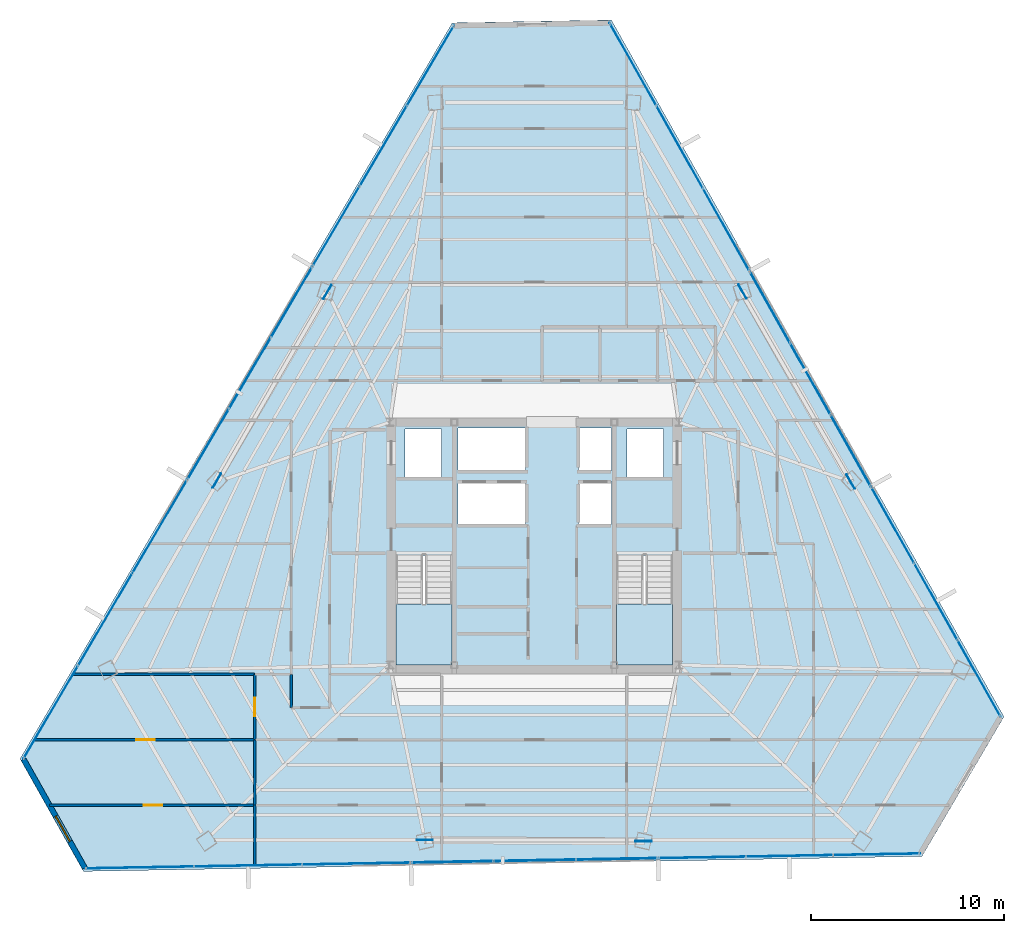
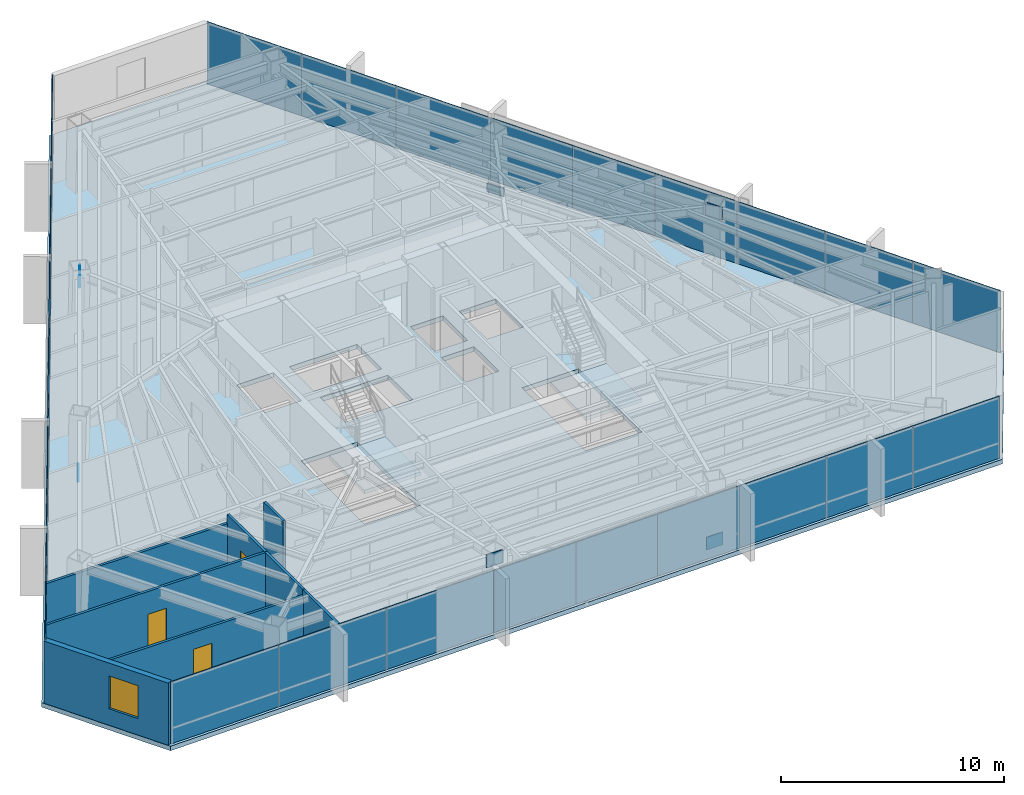
# One storey, part 34 of 42: 33 plates, 8 walls, 3 doors, 3 slabs, 1 window, 4 openings, 11 elements without a shape of their own.
"""IFC4 building model written with IfcOpenShell, lengths in metres."""

import ifcopenshell
import ifcopenshell.guid

model = None  # the IFC model being written
_history = None  # IfcOwnerHistory: only IFC2X3 demands one
_inside = {}  # id of a spatial element -> (the spatial element, [elements in it])
_under = {}  # id of a project, library or spatial element -> (it, [spatial elements below it])
_declared = {}  # id of a project -> (the project, [libraries it declares])
_typed = {}  # id of a type object -> (the type object, [elements of that type])
_made_of = {}  # id of a material, layer set ... -> (it, [elements and type objects made of it])


def new_model(schema):
    """Start an empty IFC model of exactly this schema.

    Asked for "IFC4X3", IfcOpenShell would pick the latest addendum, in which some entities
    have other attributes; the version numbers below select the first issue.
    IFC2X3 requires an IfcOwnerHistory on every rooted entity: one is made here for all.
    """
    global model, _history
    if schema == "IFC4X3":
        model = ifcopenshell.file(schema_version=(4, 3, 0, 0))
    else:
        model = ifcopenshell.file(schema=schema)
    _inside.clear()
    _under.clear()
    _declared.clear()
    _typed.clear()
    _made_of.clear()
    _history = None
    if model.schema == "IFC2X3":
        org = make("IfcOrganization", Name="unknown")
        user = make(
            "IfcPersonAndOrganization",
            ThePerson=make("IfcPerson", FamilyName="unknown"),
            TheOrganization=org,
        )
        app = make(
            "IfcApplication",
            ApplicationDeveloper=org,
            Version="unknown",
            ApplicationFullName="unknown",
            ApplicationIdentifier="unknown",
        )
        _history = make(
            "IfcOwnerHistory",
            OwningUser=user,
            OwningApplication=app,
            ChangeAction="ADDED",
            CreationDate=0,
        )
    return model


def make(cls, **values):
    """One entity of the class cls with the attributes given. An attribute that is None is left unset."""
    return model.create_entity(
        cls, **{name: value for name, value in values.items() if value is not None}
    )


def rooted(cls, **values):
    """An entity with a GlobalId (a new one), such as an element, a storey or a relation."""
    return make(cls, GlobalId=ifcopenshell.guid.new(), OwnerHistory=_history, **values)


def si_unit(unit_type, name, prefix=None):
    """IfcSIUnit, for example si_unit("LENGTHUNIT", "METRE", prefix="MILLI")."""
    return make("IfcSIUnit", UnitType=unit_type, Prefix=prefix, Name=name)


def assignment(units):
    """IfcUnitAssignment: the units of a project."""
    return None if units is None else make("IfcUnitAssignment", Units=units)


def point(xyz):
    """IfcCartesianPoint."""
    return None if xyz is None else make("IfcCartesianPoint", Coordinates=xyz)


def direction(xyz):
    """IfcDirection."""
    return None if xyz is None else make("IfcDirection", DirectionRatios=xyz)


def frame(location, z_axis=None, x_axis=None):
    """IfcAxis2Placement3D, a coordinate frame: its origin and axes. An axis left out is left unset."""
    return make(
        "IfcAxis2Placement3D",
        Location=point(location),
        Axis=direction(z_axis),
        RefDirection=direction(x_axis),
    )


def frame_2d(location, x_axis=None):
    """IfcAxis2Placement2D, a coordinate frame in the plane: its origin and x axis."""
    return make(
        "IfcAxis2Placement2D", Location=point(location), RefDirection=direction(x_axis)
    )


def origin():
    """The frame at (0, 0, 0) with its axes left unset."""
    return frame((0.0, 0.0, 0.0))


def origin_2d():
    """The frame at (0, 0) in the plane with its x axis left unset."""
    return frame_2d((0.0, 0.0))


def place(relative_to, where):
    """IfcLocalPlacement: puts the frame where relative to a parent placement (None: the world)."""
    return make(
        "IfcLocalPlacement", PlacementRelTo=relative_to, RelativePlacement=where
    )


def context(
    kind, dimensions, precision=None, world=None, true_north=None, identifier=None
):
    """IfcGeometricRepresentationContext, for example the 3D "Model" context."""
    return make(
        "IfcGeometricRepresentationContext",
        ContextIdentifier=identifier,
        ContextType=kind,
        CoordinateSpaceDimension=dimensions,
        Precision=precision,
        WorldCoordinateSystem=world,
        TrueNorth=true_north,
    )


def subcontext(parent, identifier, kind, view, scale=None):
    """IfcGeometricRepresentationSubContext, for example "Body" below "Model"."""
    return make(
        "IfcGeometricRepresentationSubContext",
        ContextIdentifier=identifier,
        ContextType=kind,
        ParentContext=parent,
        TargetScale=scale,
        TargetView=view,
    )


def project(units=None, contexts=None):
    """IfcProject with its units and contexts."""
    return rooted(
        "IfcProject",
        Name="project",
        RepresentationContexts=contexts,
        UnitsInContext=assignment(units),
    )


def spatial(cls, under=None, at=None, **own):
    """A site, building, storey or space (cls), placed at a placement, below another one or the project."""
    s = rooted(cls, ObjectPlacement=at, **own)
    if under is not None:
        _under.setdefault(under.id(), (under, []))[1].append(s)
    return s


def polyline(points):
    """IfcPolyline through the points."""
    return make("IfcPolyline", Points=[point(p) for p in points])


def profile(cls, at=None, kind="AREA", **sizes):
    """A parametric profile (cls). Its sizes go by their IFC names, for example OverallWidth=200.0."""
    return make(cls, ProfileType=kind, Position=at, **sizes)


def rectangle(**sizes):
    """IfcRectangleProfileDef."""
    return profile("IfcRectangleProfileDef", **sizes)


def outline(outer, holes=None, kind="AREA"):
    """IfcArbitraryClosedProfileDef: a profile drawn as a closed curve; with holes, ...WithVoids."""
    if holes is None:
        return make("IfcArbitraryClosedProfileDef", ProfileType=kind, OuterCurve=outer)
    return make(
        "IfcArbitraryProfileDefWithVoids",
        ProfileType=kind,
        OuterCurve=outer,
        InnerCurves=holes,
    )


def extrude(swept, where, along, depth):
    """IfcExtrudedAreaSolid: the profile swept, set in the frame where, extruded along a direction by depth."""
    return make(
        "IfcExtrudedAreaSolid",
        SweptArea=swept,
        Position=where,
        ExtrudedDirection=direction(along),
        Depth=depth,
    )


def shape(context_of_items, identifier, shape_type, items):
    """IfcShapeRepresentation: the items that make up one representation, for example the "Body"."""
    return make(
        "IfcShapeRepresentation",
        ContextOfItems=context_of_items,
        RepresentationIdentifier=identifier,
        RepresentationType=shape_type,
        Items=items,
    )


def source(mapping_origin, context_of_items, identifier, shape_type, items):
    """IfcRepresentationMap: a shape defined once, which mapped items show again and again."""
    return make(
        "IfcRepresentationMap",
        MappingOrigin=mapping_origin,
        MappedRepresentation=shape(context_of_items, identifier, shape_type, items),
    )


def transform(
    local_origin,
    x_axis=None,
    y_axis=None,
    z_axis=None,
    scale=None,
    scale2=None,
    scale3=None,
    uniform=True,
):
    """IfcCartesianTransformationOperator3D, or its non-uniform kind. x_axis, y_axis, z_axis: its Axis1, 2, 3."""
    if uniform:
        return make(
            "IfcCartesianTransformationOperator3D",
            Axis1=direction(x_axis),
            Axis2=direction(y_axis),
            LocalOrigin=point(local_origin),
            Scale=scale,
            Axis3=direction(z_axis),
        )
    return make(
        "IfcCartesianTransformationOperator3DnonUniform",
        Axis1=direction(x_axis),
        Axis2=direction(y_axis),
        LocalOrigin=point(local_origin),
        Scale=scale,
        Axis3=direction(z_axis),
        Scale2=scale2,
        Scale3=scale3,
    )


def mapped(mapping_source, mapping_target):
    """IfcMappedItem: shows the shape of a source again, moved by a transform."""
    return make(
        "IfcMappedItem", MappingSource=mapping_source, MappingTarget=mapping_target
    )


def material(Name=None, Category=None):
    """IfcMaterial."""
    return make("IfcMaterial", Name=Name, Category=Category)


def layer(
    of_material, thickness, ventilated=None, Name=None, Category=None, Priority=None
):
    """IfcMaterialLayer: one layer of a wall or slab, of a material (None: an air gap)."""
    return make(
        "IfcMaterialLayer",
        Material=of_material,
        LayerThickness=thickness,
        IsVentilated=ventilated,
        Name=Name,
        Category=Category,
        Priority=Priority,
    )


def layer_set(layers, Name=None):
    """IfcMaterialLayerSet."""
    return make("IfcMaterialLayerSet", MaterialLayers=layers, LayerSetName=Name)


def made_of(thing, what):
    """Note that an element or type object is made of a material, layer set ...; save() writes the relation."""
    if what is not None:
        _made_of.setdefault(what.id(), (what, []))[1].append(thing)
    return thing


def type_object(cls, material=None, **own):
    """A type object (cls), such as IfcWallType, which elements share."""
    return made_of(rooted(cls, **own), material)


def type_shapes(of_type, sources):
    """Give a type object the sources (RepresentationMaps) that its elements show as mapped items."""
    of_type.RepresentationMaps = sources


def element(
    cls,
    number,
    at=None,
    inside=None,
    cuts=None,
    type_object=None,
    material=None,
    context=None,
    identifier="Body",
    shape_type=None,
    held_by="IfcProductDefinitionShape",
    body=None,
    shapes=None,
    **own,
):
    """One element of the class cls, such as IfcWall. Its Tag is "e" and its number.

    at: its placement. inside: the storey or other place that contains it. cuts: it is an
    opening in that element (IfcRelVoidsElement). A single representation is given by context,
    identifier, shape_type and body (its items); several are given by shapes. held_by: the class
    of the entity that holds the representations. save() writes the other relations.
    """
    e = rooted(cls, Tag="e%d" % number, ObjectPlacement=at, **own)
    if body is not None:
        shapes = [shape(context, identifier, shape_type, body)]
    if shapes is not None:
        e.Representation = make(held_by, Representations=shapes)
    if inside is not None:
        _inside.setdefault(inside.id(), (inside, []))[1].append(e)
    if cuts is not None:
        rooted(
            "IfcRelVoidsElement", RelatingBuildingElement=cuts, RelatedOpeningElement=e
        )
    if type_object is not None:
        _typed.setdefault(type_object.id(), (type_object, []))[1].append(e)
    return made_of(e, material)


def fill(opening, filler):
    """IfcRelFillsElement: the door or window that sits in an opening."""
    return rooted(
        "IfcRelFillsElement",
        RelatingOpeningElement=opening,
        RelatedBuildingElement=filler,
    )


def aggregate(whole, parts):
    """IfcRelAggregates: a whole, such as a stair, and the parts it consists of."""
    return rooted("IfcRelAggregates", RelatingObject=whole, RelatedObjects=parts)


def save(model, path):
    """Write the relations noted so far, then the file.

    IfcRelAggregates (storeys below a building ...), IfcRelContainedInSpatialStructure (elements
    in a storey), IfcRelDefinesByType, IfcRelAssociatesMaterial and IfcRelDeclares: one each for
    every whole, place, type object, material and project.
    """
    for whole, parts in _under.values():
        aggregate(whole, parts)
    for where, things in _inside.values():
        rooted(
            "IfcRelContainedInSpatialStructure",
            RelatedElements=things,
            RelatingStructure=where,
        )
    for kind, things in _typed.values():
        rooted("IfcRelDefinesByType", RelatedObjects=things, RelatingType=kind)
    for what, things in _made_of.values():
        rooted("IfcRelAssociatesMaterial", RelatedObjects=things, RelatingMaterial=what)
    for by, libraries in _declared.values():
        rooted("IfcRelDeclares", RelatingContext=by, RelatedDefinitions=libraries)
    model.write(path)


model = new_model("IFC4")

# Units and contexts
model_context = context("Model", 3, precision=1e-05, world=origin(), true_north=direction((0.0, 1.0)))
body_context = subcontext(model_context, "Body", "Model", "MODEL_VIEW")
ifc_project = project(units=[si_unit("LENGTHUNIT", "METRE"), si_unit("AREAUNIT", "SQUARE_METRE"), si_unit("VOLUMEUNIT", "CUBIC_METRE"), si_unit("PLANEANGLEUNIT", "RADIAN"), si_unit("MASSUNIT", "GRAM", prefix="KILO")], contexts=[model_context])

# Site, building, storey
site_placement = place(None, origin())
site = spatial("IfcSite", under=ifc_project, at=site_placement, CompositionType="ELEMENT")
building_placement = place(site_placement, origin())
building = spatial("IfcBuilding", under=site, at=building_placement, Name="Caelisora Broadcast Tower", CompositionType="ELEMENT")
storey_placement = place(building_placement, frame((0.0, 0.0, 202.300048828125)))
storey = spatial("IfcBuildingStorey", under=building, at=storey_placement, Name="L53", CompositionType="ELEMENT", Elevation=202.300048828125)

# Slab
ifc_material_1 = material(Name="Concrete 40 MPa (AS 3600 N40)", Category="concrete")
ifc_layer_1 = layer(ifc_material_1, 0.25, Name="Concrete 40 MPa (AS 3600 N40)")
ifc_layer_set_1 = layer_set([ifc_layer_1], Name="Concrete 40 MPa (AS 3600 N40)")
slab_type_1 = type_object("IfcSlabType", Name="SL04", PredefinedType="FLOOR", material=ifc_layer_set_1)
slab_1_placement = place(storey_placement, frame((0.0, 0.0, -0.25)))
element("IfcSlab", 1, at=slab_1_placement, inside=storey, type_object=slab_type_1, Name="L53 suspended floor SL04", PredefinedType="FLOOR", context=body_context, shape_type="SweptSolid", body=[
    extrude(outline(polyline([(41.9990234375, 50.85791015625), (33.74609375, 50.7109375), (11.327880859375, 12.5390625), (14.616943359375, 6.700927734375), (58.10693359375, 7.47900390625), (62.361083984375, 14.722900390625), (41.9990234375, 50.85791015625)]), holes=[polyline([(30.820068359375, 17.39990234375), (33.739990234375, 17.39990234375), (33.739990234375, 23.080078125), (30.820068359375, 23.080078125), (30.820068359375, 17.39990234375)]), polyline([(42.260009765625, 17.39990234375), (45.179931640625, 17.39990234375), (45.179931640625, 23.080078125), (42.260009765625, 23.080078125), (42.260009765625, 17.39990234375)]), polyline([(42.800048828125, 27.14990234375), (44.699951171875, 27.14990234375), (44.699951171875, 29.64990234375), (42.800048828125, 29.64990234375), (42.800048828125, 27.14990234375)]), polyline([(40.300048828125, 24.719970703125), (42.0, 24.719970703125), (42.0, 26.919921875), (40.300048828125, 26.919921875), (40.300048828125, 24.719970703125)]), polyline([(40.300048828125, 27.5), (42.0, 27.5), (42.0, 29.699951171875), (40.300048828125, 29.699951171875), (40.300048828125, 27.5)]), polyline([(34.050048828125, 24.719970703125), (37.550048828125, 24.719970703125), (37.550048828125, 26.919921875), (34.050048828125, 26.919921875), (34.050048828125, 24.719970703125)]), polyline([(34.050048828125, 27.5), (37.550048828125, 27.5), (37.550048828125, 29.699951171875), (34.050048828125, 29.699951171875), (34.050048828125, 27.5)]), polyline([(31.300048828125, 27.14990234375), (33.199951171875, 27.14990234375), (33.199951171875, 29.64990234375), (31.300048828125, 29.64990234375), (31.300048828125, 27.14990234375)])]), origin(), (0.0, 0.0, 1.0), 0.25),
])

# Stair, slab
stair_type_1 = type_object("IfcStairType", Name="ST-1", PredefinedType="HALF_TURN_STAIR", material=ifc_material_1)
stair_1_placement = place(storey_placement, origin())
stair_1 = element("IfcStair", 2, at=stair_1_placement, inside=storey, type_object=stair_type_1, Name="L53 West Fire-Isolated Tower Stair", PredefinedType="HALF_TURN_STAIR")
ifc_layer_2 = layer(ifc_material_1, 0.199951171875, Name="Concrete 40 MPa (AS 3600 N40)")
ifc_layer_set_2 = layer_set([ifc_layer_2], Name="Concrete 40 MPa (AS 3600 N40)")
slab_type_2 = type_object("IfcSlabType", Name="STL-1", PredefinedType="LANDING", material=ifc_layer_set_2)
slab_2_placement = place(storey_placement, frame((0.0, 0.0, 1.625)))
slab_2 = element("IfcSlab", 3, at=slab_2_placement, type_object=slab_type_2, Name="ST-1 landing 1", PredefinedType="LANDING", context=body_context, shape_type="SweptSolid", body=[
    extrude(outline(polyline([(30.820068359375, 20.580078125), (30.820068359375, 17.39990234375), (33.739990234375, 17.39990234375), (33.739990234375, 20.580078125), (30.820068359375, 20.580078125)])), origin(), (0.0, 0.0, 1.0), 0.199951171875),
])
aggregate(stair_1, [slab_2])

stair_type_2 = type_object("IfcStairType", Name="ST-2", PredefinedType="HALF_TURN_STAIR", material=ifc_material_1)
stair_2_placement = place(storey_placement, origin())
stair_2 = element("IfcStair", 4, at=stair_2_placement, inside=storey, type_object=stair_type_2, Name="L53 East Fire-Isolated Tower Stair", PredefinedType="HALF_TURN_STAIR")
slab_3_placement = place(storey_placement, frame((0.0, 0.0, 1.625)))
slab_3 = element("IfcSlab", 5, at=slab_3_placement, type_object=slab_type_2, Name="ST-2 landing 1", PredefinedType="LANDING", context=body_context, shape_type="SweptSolid", body=[
    extrude(outline(polyline([(42.260009765625, 20.580078125), (42.260009765625, 17.39990234375), (45.179931640625, 17.39990234375), (45.179931640625, 20.580078125), (42.260009765625, 20.580078125)])), origin(), (0.0, 0.0, 1.0), 0.199951171875),
])
aggregate(stair_2, [slab_3])

# Plates
ifc_material_2 = material(Name="Steel Grade 350 L15 (AS/NZS 3678)", Category="steel")
ifc_layer_3 = layer(ifc_material_2, 0.0400390625, Name="Steel Grade 350 L15 (AS/NZS 3678)")
ifc_layer_set_3 = layer_set([ifc_layer_3], Name="Steel Grade 350 L15 (AS/NZS 3678)")
plate_type_1 = type_object("IfcPlateType", Name="GP04", PredefinedType="USERDEFINED", material=ifc_layer_set_3)
shared_shape_1 = source(origin(), body_context, "Body", "SweptSolid", [
    extrude(rectangle(XDim=0.85009765625, YDim=0.0400390625, at=origin_2d()), origin(), (0.0, 0.0, 1.0), 0.699951171875),
])
type_shapes(plate_type_1, [shared_shape_1])
for number, where, z_axis, x_axis, name in (
    (6, (27.270751953125, 36.751220703125, 2.72998046875), (0.0, 0.0, 1.0), (-0.5, -0.866025403784, 0.0), "L53 gusset plate GP04 (ND-L53-C02T)"),
    (7, (21.5380859375, 26.966552734375, -0.22998046875), (0.0, 0.0, 1.0), (-0.5, -0.866025403784, 0.0), "L53 gusset plate GP04 (ND-L53-C03B)"),
    (8, (32.322021484375, 8.33251953125, 2.72998046875), (0.0, 0.0, 1.0), (1.0, 0.0, 0.0), "L53 gusset plate GP04 (ND-L53-C06T)"),
    (9, (43.66162109375, 8.26025390625, -0.22998046875), (0.0, 0.0, 1.0), (1.0, 0.0, 0.0), "L53 gusset plate GP04 (ND-L53-C07B)"),
    (10, (54.407470703125, 26.916259765625, 2.72998046875), (0.0, 0.0, 1.0), (-0.5, 0.866025403784, 0.0), "L53 gusset plate GP04 (ND-L53-C10T)"),
    (11, (48.800048828125, 36.77294921875, -0.22998046875), (0.0, 0.0, 1.0), (-0.5, 0.866025403784, 0.0), "L53 gusset plate GP04 (ND-L53-C11B)"),
):
    element("IfcPlate", number, at=place(storey_placement, frame(where, z_axis=z_axis, x_axis=x_axis)), inside=storey, type_object=plate_type_1, Name=name, ObjectType="GUSSET PLATE", PredefinedType="USERDEFINED", context=body_context, shape_type="MappedRepresentation", body=[
        mapped(shared_shape_1, transform((0.0, 0.0, 0.0), scale=1.0)),
    ])

# Curtain wall, plates
ifc_material_3 = material(Name="Unitised Aluminium and Low-E Glass Curtain Wall", Category="glass")
curtain_wall_type_1 = type_object("IfcCurtainWallType", Name="CW-Z4", PredefinedType="NOTDEFINED", material=ifc_material_3)
curtain_wall_1_placement = place(storey_placement, origin())
curtain_wall_1 = element("IfcCurtainWall", 12, at=curtain_wall_1_placement, inside=storey, type_object=curtain_wall_type_1, Name="L53 curtain wall CW-Z4", PredefinedType="NOTDEFINED")
ifc_material_4 = material(Name="Double Glazed Low-E Argon IGU", Category="glass")
ifc_layer_4 = layer(ifc_material_4, 0.030029296875, Name="Double Glazed Low-E Argon IGU")
ifc_layer_set_4 = layer_set([ifc_layer_4], Name="Double Glazed Low-E Argon IGU")
plate_type_2 = type_object("IfcPlateType", Name="CWP-05", PredefinedType="CURTAIN_PANEL", material=ifc_layer_set_4)
shared_shape_2 = source(origin(), body_context, "Body", "SweptSolid", [
    extrude(rectangle(XDim=4.921630859375, YDim=0.030029296875, at=origin_2d()), origin(), (0.0, 0.0, 1.0), 3.39990234375),
])
plate_1_placement = place(storey_placement, frame((43.1201171875, 48.56201171875, 0.0), z_axis=(0.0, 0.0, 1.0), x_axis=(0.490903753615, -0.87121381112, 0.0)))
plate_1 = element("IfcPlate", 13, at=plate_1_placement, type_object=plate_type_2, Name="L53-CW-B01 glazed panel #1", PredefinedType="CURTAIN_PANEL", context=body_context, shape_type="MappedRepresentation", body=[
    mapped(shared_shape_2, transform((0.0, 0.0, 0.0), scale=1.0)),
])
plate_2_placement = place(storey_placement, frame((45.536376953125, 44.2744140625, 0.0), z_axis=(0.0, 0.0, 1.0), x_axis=(0.490903753615, -0.87121381112, 0.0)))
plate_2 = element("IfcPlate", 14, at=plate_2_placement, type_object=plate_type_2, Name="L53-CW-B01 glazed panel #2", PredefinedType="CURTAIN_PANEL", context=body_context, shape_type="MappedRepresentation", body=[
    mapped(shared_shape_2, transform((0.0, 0.0, 0.0), scale=1.0)),
])
plate_3_placement = place(storey_placement, frame((47.95263671875, 39.98681640625, 0.0), z_axis=(0.0, 0.0, 1.0), x_axis=(0.490903753615, -0.87121381112, 0.0)))
plate_3 = element("IfcPlate", 15, at=plate_3_placement, type_object=plate_type_2, Name="L53-CW-B01 glazed panel #3", PredefinedType="CURTAIN_PANEL", context=body_context, shape_type="MappedRepresentation", body=[
    mapped(shared_shape_2, transform((0.0, 0.0, 0.0), scale=1.0)),
])
aggregate(curtain_wall_1, [plate_1, plate_2, plate_3])

ifc_material_5 = material(Name="Unitised Aluminium Insulated Shadow-Box Spandrel Curtain Wall", Category="aluminium")
curtain_wall_type_2 = type_object("IfcCurtainWallType", Name="CW-SP2", PredefinedType="NOTDEFINED", material=ifc_material_5)
curtain_wall_2_placement = place(storey_placement, origin())
curtain_wall_2 = element("IfcCurtainWall", 16, at=curtain_wall_2_placement, inside=storey, type_object=curtain_wall_type_2, Name="L53 curtain wall CW-SP2", PredefinedType="NOTDEFINED")
ifc_material_6 = material(Name="Insulated Terracotta Shadow-Box Spandrel Panel", Category="aluminium")
ifc_layer_5 = layer(ifc_material_6, 0.0439453125, Name="Insulated Terracotta Shadow-Box Spandrel Panel")
ifc_layer_set_5 = layer_set([ifc_layer_5], Name="Insulated Terracotta Shadow-Box Spandrel Panel")
plate_type_3 = type_object("IfcPlateType", Name="CWP-10", PredefinedType="CURTAIN_PANEL", material=ifc_layer_set_5)
shared_shape_3 = source(origin(), body_context, "Body", "SweptSolid", [
    extrude(rectangle(XDim=4.27099609375, YDim=0.0439453125, at=origin_2d()), origin(), (0.0, 0.0, 1.0), 3.39990234375),
])
plate_4_placement = place(storey_placement, frame((50.2138671875, 35.9736328125, 0.0), z_axis=(0.0, 0.0, 1.0), x_axis=(0.490903753615, -0.87121381112, 0.0)))
plate_4 = element("IfcPlate", 17, at=plate_4_placement, type_object=plate_type_3, Name="L53-CW-B02 spandrel panel #1", PredefinedType="CURTAIN_PANEL", context=body_context, shape_type="MappedRepresentation", body=[
    mapped(shared_shape_3, transform((0.0, 0.0, 0.0), scale=1.0)),
])
plate_5_placement = place(storey_placement, frame((52.310791015625, 32.2529296875, 0.0), z_axis=(0.0, 0.0, 1.0), x_axis=(0.490903753615, -0.87121381112, 0.0)))
plate_5 = element("IfcPlate", 18, at=plate_5_placement, type_object=plate_type_3, Name="L53-CW-B02 spandrel panel #2", PredefinedType="CURTAIN_PANEL", context=body_context, shape_type="MappedRepresentation", body=[
    mapped(shared_shape_3, transform((0.0, 0.0, 0.0), scale=1.0)),
])
plate_6_placement = place(storey_placement, frame((54.407470703125, 28.531982421875, 0.0), z_axis=(0.0, 0.0, 1.0), x_axis=(0.490903753615, -0.87121381112, 0.0)))
plate_6 = element("IfcPlate", 19, at=plate_6_placement, type_object=plate_type_3, Name="L53-CW-B02 spandrel panel #3", PredefinedType="CURTAIN_PANEL", context=body_context, shape_type="MappedRepresentation", body=[
    mapped(shared_shape_3, transform((0.0, 0.0, 0.0), scale=1.0)),
])
aggregate(curtain_wall_2, [plate_4, plate_5, plate_6])

curtain_wall_3_placement = place(storey_placement, origin())
curtain_wall_3 = element("IfcCurtainWall", 20, at=curtain_wall_3_placement, inside=storey, type_object=curtain_wall_type_2, Name="L53 curtain wall CW-SP2", PredefinedType="NOTDEFINED")
plate_7_placement = place(storey_placement, frame((21.080078125, 28.84814453125, 0.0), z_axis=(0.0, 0.0, 1.0), x_axis=(0.506334807353, 0.862336977557, 0.0)))
plate_7 = element("IfcPlate", 21, at=plate_7_placement, type_object=plate_type_3, Name="L53-CW-B10 spandrel panel #1", PredefinedType="CURTAIN_PANEL", context=body_context, shape_type="MappedRepresentation", body=[
    mapped(shared_shape_3, transform((0.0, 0.0, 0.0), scale=1.0)),
])
plate_8_placement = place(storey_placement, frame((23.2431640625, 32.531005859375, 0.0), z_axis=(0.0, 0.0, 1.0), x_axis=(0.506334807353, 0.862336977557, 0.0)))
plate_8 = element("IfcPlate", 22, at=plate_8_placement, type_object=plate_type_3, Name="L53-CW-B10 spandrel panel #2", PredefinedType="CURTAIN_PANEL", context=body_context, shape_type="MappedRepresentation", body=[
    mapped(shared_shape_3, transform((0.0, 0.0, 0.0), scale=1.0)),
])
plate_9_placement = place(storey_placement, frame((25.406005859375, 36.2138671875, 0.0), z_axis=(0.0, 0.0, 1.0), x_axis=(0.506334807353, 0.862336977557, 0.0)))
plate_9 = element("IfcPlate", 23, at=plate_9_placement, type_object=plate_type_3, Name="L53-CW-B10 spandrel panel #3", PredefinedType="CURTAIN_PANEL", context=body_context, shape_type="MappedRepresentation", body=[
    mapped(shared_shape_3, transform((0.0, 0.0, 0.0), scale=1.0)),
])
aggregate(curtain_wall_3, [plate_7, plate_8, plate_9])

curtain_wall_4_placement = place(storey_placement, origin())
curtain_wall_4 = element("IfcCurtainWall", 24, at=curtain_wall_4_placement, inside=storey, type_object=curtain_wall_type_1, Name="L53 curtain wall CW-Z4", PredefinedType="NOTDEFINED")
shared_shape_4 = source(origin(), body_context, "Body", "SweptSolid", [
    extrude(rectangle(XDim=4.567626953125, YDim=0.030029296875, at=origin_2d()), origin(), (0.0, 0.0, 1.0), 3.39990234375),
])
plate_10_placement = place(storey_placement, frame((56.58203125, 24.67333984375, 0.0), z_axis=(0.0, 0.0, 1.0), x_axis=(0.490903753615, -0.87121381112, 0.0)))
plate_10 = element("IfcPlate", 25, at=plate_10_placement, type_object=plate_type_2, Name="L53-CW-B03 glazed panel #1", PredefinedType="CURTAIN_PANEL", context=body_context, shape_type="MappedRepresentation", body=[
    mapped(shared_shape_4, transform((0.0, 0.0, 0.0), scale=1.0)),
])
plate_11_placement = place(storey_placement, frame((58.824462890625, 20.694091796875, 0.0), z_axis=(0.0, 0.0, 1.0), x_axis=(0.490903753615, -0.87121381112, 0.0)))
plate_11 = element("IfcPlate", 26, at=plate_11_placement, type_object=plate_type_2, Name="L53-CW-B03 glazed panel #2", PredefinedType="CURTAIN_PANEL", context=body_context, shape_type="MappedRepresentation", body=[
    mapped(shared_shape_4, transform((0.0, 0.0, 0.0), scale=1.0)),
])
plate_12_placement = place(storey_placement, frame((61.06689453125, 16.714599609375, 0.0), z_axis=(0.0, 0.0, 1.0), x_axis=(0.490903753615, -0.87121381112, 0.0)))
plate_12 = element("IfcPlate", 27, at=plate_12_placement, type_object=plate_type_2, Name="L53-CW-B03 glazed panel #3", PredefinedType="CURTAIN_PANEL", context=body_context, shape_type="MappedRepresentation", body=[
    mapped(shared_shape_4, transform((0.0, 0.0, 0.0), scale=1.0)),
])
aggregate(curtain_wall_4, [plate_10, plate_11, plate_12])

curtain_wall_5_placement = place(storey_placement, origin())
curtain_wall_5 = element("IfcCurtainWall", 28, at=curtain_wall_5_placement, inside=storey, type_object=curtain_wall_type_1, Name="L53 curtain wall CW-Z4", PredefinedType="NOTDEFINED")
shared_shape_5 = source(origin(), body_context, "Body", "SweptSolid", [
    extrude(rectangle(XDim=4.52978515625, YDim=0.030029296875, at=origin_2d()), origin(), (0.0, 0.0, 1.0), 3.39990234375),
])
plate_13_placement = place(storey_placement, frame((55.75537109375, 7.58642578125, 0.0), z_axis=(0.0, 0.0, 1.0), x_axis=(-0.999841542203, -0.017801418053, 0.0)))
plate_13 = element("IfcPlate", 29, at=plate_13_placement, type_object=plate_type_2, Name="L53-CW-B05 glazed panel #1", PredefinedType="CURTAIN_PANEL", context=body_context, shape_type="MappedRepresentation", body=[
    mapped(shared_shape_5, transform((0.0, 0.0, 0.0), scale=1.0)),
])
plate_14_placement = place(storey_placement, frame((51.226318359375, 7.505615234375, 0.0), z_axis=(0.0, 0.0, 1.0), x_axis=(-0.999841542203, -0.017801418053, 0.0)))
plate_14 = element("IfcPlate", 30, at=plate_14_placement, type_object=plate_type_2, Name="L53-CW-B05 glazed panel #2", PredefinedType="CURTAIN_PANEL", context=body_context, shape_type="MappedRepresentation", body=[
    mapped(shared_shape_5, transform((0.0, 0.0, 0.0), scale=1.0)),
])
plate_15_placement = place(storey_placement, frame((46.697021484375, 7.4248046875, 0.0), z_axis=(0.0, 0.0, 1.0), x_axis=(-0.999841542203, -0.017801418053, 0.0)))
plate_15 = element("IfcPlate", 31, at=plate_15_placement, type_object=plate_type_2, Name="L53-CW-B05 glazed panel #3", PredefinedType="CURTAIN_PANEL", context=body_context, shape_type="MappedRepresentation", body=[
    mapped(shared_shape_5, transform((0.0, 0.0, 0.0), scale=1.0)),
])
aggregate(curtain_wall_5, [plate_13, plate_14, plate_15])

curtain_wall_6_placement = place(storey_placement, origin())
curtain_wall_6 = element("IfcCurtainWall", 32, at=curtain_wall_6_placement, inside=storey, type_object=curtain_wall_type_2, Name="L53 curtain wall CW-SP2", PredefinedType="NOTDEFINED")
shared_shape_6 = source(origin(), body_context, "Body", "SweptSolid", [
    extrude(rectangle(XDim=4.2705078125, YDim=0.0439453125, at=origin_2d()), origin(), (0.0, 0.0, 1.0), 3.39990234375),
])
type_shapes(plate_type_3, [shared_shape_3, shared_shape_6])
plate_16_placement = place(storey_placement, frame((42.28759765625, 7.345947265625, 0.0), z_axis=(0.0, 0.0, 1.0), x_axis=(-0.999841542203, -0.017801418053, 0.0)))
plate_16 = element("IfcPlate", 33, at=plate_16_placement, type_object=plate_type_3, Name="L53-CW-B06 spandrel panel #1", PredefinedType="CURTAIN_PANEL", context=body_context, shape_type="MappedRepresentation", body=[
    mapped(shared_shape_6, transform((0.0, 0.0, 0.0), scale=1.0)),
])
plate_17_placement = place(storey_placement, frame((38.017578125, 7.26953125, 0.0), z_axis=(0.0, 0.0, 1.0), x_axis=(-0.999841542203, -0.017801418053, 0.0)))
plate_17 = element("IfcPlate", 34, at=plate_17_placement, type_object=plate_type_3, Name="L53-CW-B06 spandrel panel #2", PredefinedType="CURTAIN_PANEL", context=body_context, shape_type="MappedRepresentation", body=[
    mapped(shared_shape_6, transform((0.0, 0.0, 0.0), scale=1.0)),
])
plate_18_placement = place(storey_placement, frame((33.747802734375, 7.193359375, 0.0), z_axis=(0.0, 0.0, 1.0), x_axis=(-0.999841542203, -0.017801418053, 0.0)))
plate_18 = element("IfcPlate", 35, at=plate_18_placement, type_object=plate_type_3, Name="L53-CW-B06 spandrel panel #3", PredefinedType="CURTAIN_PANEL", context=body_context, shape_type="MappedRepresentation", body=[
    mapped(shared_shape_6, transform((0.0, 0.0, 0.0), scale=1.0)),
])
aggregate(curtain_wall_6, [plate_16, plate_17, plate_18])

curtain_wall_7_placement = place(storey_placement, origin())
curtain_wall_7 = element("IfcCurtainWall", 36, at=curtain_wall_7_placement, inside=storey, type_object=curtain_wall_type_1, Name="L53 curtain wall CW-Z4", PredefinedType="NOTDEFINED")
shared_shape_7 = source(origin(), body_context, "Body", "SweptSolid", [
    extrude(rectangle(XDim=5.6337890625, YDim=0.030029296875, at=origin_2d()), origin(), (0.0, 0.0, 1.0), 3.39990234375),
])
plate_19_placement = place(storey_placement, frame((28.786376953125, 7.1044921875, 0.0), z_axis=(0.0, 0.0, 1.0), x_axis=(-0.999841542203, -0.017801418053, 0.0)))
plate_19 = element("IfcPlate", 37, at=plate_19_placement, type_object=plate_type_2, Name="L53-CW-B07 glazed panel #1", PredefinedType="CURTAIN_PANEL", context=body_context, shape_type="MappedRepresentation", body=[
    mapped(shared_shape_7, transform((0.0, 0.0, 0.0), scale=1.0)),
])
plate_20_placement = place(storey_placement, frame((23.153564453125, 7.00390625, 0.0), z_axis=(0.0, 0.0, 1.0), x_axis=(-0.999841542203, -0.017801418053, 0.0)))
plate_20 = element("IfcPlate", 38, at=plate_20_placement, type_object=plate_type_2, Name="L53-CW-B07 glazed panel #2", PredefinedType="CURTAIN_PANEL", context=body_context, shape_type="MappedRepresentation", body=[
    mapped(shared_shape_7, transform((0.0, 0.0, 0.0), scale=1.0)),
])
plate_21_placement = place(storey_placement, frame((17.5205078125, 6.9033203125, 0.0), z_axis=(0.0, 0.0, 1.0), x_axis=(-0.999841542203, -0.017801418053, 0.0)))
plate_21 = element("IfcPlate", 39, at=plate_21_placement, type_object=plate_type_2, Name="L53-CW-B07 glazed panel #3", PredefinedType="CURTAIN_PANEL", context=body_context, shape_type="MappedRepresentation", body=[
    mapped(shared_shape_7, transform((0.0, 0.0, 0.0), scale=1.0)),
])
aggregate(curtain_wall_7, [plate_19, plate_20, plate_21])

curtain_wall_8_placement = place(storey_placement, origin())
curtain_wall_8 = element("IfcCurtainWall", 40, at=curtain_wall_8_placement, inside=storey, type_object=curtain_wall_type_1, Name="L53 curtain wall CW-Z4", PredefinedType="NOTDEFINED")
shared_shape_8 = source(origin(), body_context, "Body", "SweptSolid", [
    extrude(rectangle(XDim=5.590087890625, YDim=0.030029296875, at=origin_2d()), origin(), (0.0, 0.0, 1.0), 3.39990234375),
])
plate_22_placement = place(storey_placement, frame((12.91650390625, 14.947265625, 0.0), z_axis=(0.0, 0.0, 1.0), x_axis=(0.506334807353, 0.862336977557, 0.0)))
plate_22 = element("IfcPlate", 41, at=plate_22_placement, type_object=plate_type_2, Name="L53-CW-B09 glazed panel #1", PredefinedType="CURTAIN_PANEL", context=body_context, shape_type="MappedRepresentation", body=[
    mapped(shared_shape_8, transform((0.0, 0.0, 0.0), scale=1.0)),
])
plate_23_placement = place(storey_placement, frame((15.747314453125, 19.767578125, 0.0), z_axis=(0.0, 0.0, 1.0), x_axis=(0.506334807353, 0.862336977557, 0.0)))
plate_23 = element("IfcPlate", 42, at=plate_23_placement, type_object=plate_type_2, Name="L53-CW-B09 glazed panel #2", PredefinedType="CURTAIN_PANEL", context=body_context, shape_type="MappedRepresentation", body=[
    mapped(shared_shape_8, transform((0.0, 0.0, 0.0), scale=1.0)),
])
plate_24_placement = place(storey_placement, frame((18.578369140625, 24.587890625, 0.0), z_axis=(0.0, 0.0, 1.0), x_axis=(0.506334807353, 0.862336977557, 0.0)))
plate_24 = element("IfcPlate", 43, at=plate_24_placement, type_object=plate_type_2, Name="L53-CW-B09 glazed panel #3", PredefinedType="CURTAIN_PANEL", context=body_context, shape_type="MappedRepresentation", body=[
    mapped(shared_shape_8, transform((0.0, 0.0, 0.0), scale=1.0)),
])
aggregate(curtain_wall_8, [plate_22, plate_23, plate_24])

curtain_wall_9_placement = place(storey_placement, origin())
curtain_wall_9 = element("IfcCurtainWall", 44, at=curtain_wall_9_placement, inside=storey, type_object=curtain_wall_type_1, Name="L53 curtain wall CW-Z4", PredefinedType="NOTDEFINED")
shared_shape_9 = source(origin(), body_context, "Body", "SweptSolid", [
    extrude(rectangle(XDim=4.831787109375, YDim=0.030029296875, at=origin_2d()), origin(), (0.0, 0.0, 1.0), 3.39990234375),
])
type_shapes(plate_type_2, [shared_shape_2, shared_shape_4, shared_shape_5, shared_shape_7, shared_shape_8, shared_shape_9])
plate_25_placement = place(storey_placement, frame((27.716064453125, 40.147216796875, 0.0), z_axis=(0.0, 0.0, 1.0), x_axis=(0.506334807353, 0.862336977557, 0.0)))
plate_25 = element("IfcPlate", 45, at=plate_25_placement, type_object=plate_type_2, Name="L53-CW-B11 glazed panel #1", PredefinedType="CURTAIN_PANEL", context=body_context, shape_type="MappedRepresentation", body=[
    mapped(shared_shape_9, transform((0.0, 0.0, 0.0), scale=1.0)),
])
plate_26_placement = place(storey_placement, frame((30.162841796875, 44.3134765625, 0.0), z_axis=(0.0, 0.0, 1.0), x_axis=(0.506334807353, 0.862336977557, 0.0)))
plate_26 = element("IfcPlate", 46, at=plate_26_placement, type_object=plate_type_2, Name="L53-CW-B11 glazed panel #2", PredefinedType="CURTAIN_PANEL", context=body_context, shape_type="MappedRepresentation", body=[
    mapped(shared_shape_9, transform((0.0, 0.0, 0.0), scale=1.0)),
])
plate_27_placement = place(storey_placement, frame((32.609619140625, 48.479736328125, 0.0), z_axis=(0.0, 0.0, 1.0), x_axis=(0.506334807353, 0.862336977557, 0.0)))
plate_27 = element("IfcPlate", 47, at=plate_27_placement, type_object=plate_type_2, Name="L53-CW-B11 glazed panel #3", PredefinedType="CURTAIN_PANEL", context=body_context, shape_type="MappedRepresentation", body=[
    mapped(shared_shape_9, transform((0.0, 0.0, 0.0), scale=1.0)),
])
aggregate(curtain_wall_9, [plate_25, plate_26, plate_27])

# Wall, opening, window
ifc_material_7 = material(Name="Insulated Terracotta Spandrel Wall System", Category="masonry")
ifc_layer_6 = layer(ifc_material_7, 0.280029296875, Name="Insulated Terracotta Spandrel Wall System")
ifc_layer_set_6 = layer_set([ifc_layer_6], Name="Insulated Terracotta Spandrel Wall System")
wall_type_1 = type_object("IfcWallType", Name="EW1", PredefinedType="STANDARD", material=ifc_layer_set_6)
wall_1_placement = place(storey_placement, frame((14.689208984375, 6.879150390625, 0.0), z_axis=(0.0, 0.0, 1.0), x_axis=(-0.490928119332, 0.871200081295, 0.0)))
wall_1 = element("IfcWall", 48, at=wall_1_placement, inside=storey, type_object=wall_type_1, Name="L53 exterior envelope wall EW1", PredefinedType="STANDARD", context=body_context, shape_type="SweptSolid", body=[
    extrude(rectangle(XDim=6.46435546875, YDim=0.280029296875, at=frame_2d((3.232177734375, 0.0))), origin(), (0.0, 0.0, 1.0), 3.39990234375),
])
opening_1_placement = place(wall_1_placement, frame((1.580078125, 0.0, 0.89990234375)))
opening_1 = element("IfcOpeningElement", 49, at=opening_1_placement, cuts=wall_1, Name="Opening W02", PredefinedType="OPENING", context=body_context, shape_type="SweptSolid", body=[
    extrude(rectangle(XDim=1.5, YDim=1.800048828125, at=frame_2d((0.75, 0.89990234375))), frame((0.0, 0.152099609375, 0.0), z_axis=(0.0, -1.0, 0.0), x_axis=(1.0, 0.0, 0.0)), (0.0, 0.0, 1.0), 0.303955078125),
])
ifc_material_8 = material(Name="Double Glazed Terracotta-Framed Vision Window", Category="glass")
window_type = type_object("IfcWindowType", Name="W02", PartitioningType="SINGLE_PANEL", PredefinedType="WINDOW", material=ifc_material_8)
window_placement = place(opening_1_placement, origin())
window = element("IfcWindow", 50, at=window_placement, inside=storey, type_object=window_type, Name="L53 window W02 (L53-WN-CH4)", OverallHeight=1.800048828125, OverallWidth=1.5, PartitioningType="SINGLE_PANEL", PredefinedType="WINDOW", context=body_context, shape_type="SweptSolid", body=[
    extrude(rectangle(XDim=1.5, YDim=1.800048828125, at=frame_2d((0.75, 0.89990234375))), frame((0.0, 0.030029296875, 0.0), z_axis=(0.0, -1.0, 0.0), x_axis=(1.0, 0.0, 0.0)), (0.0, 0.0, 1.0), 0.06005859375),
])
fill(opening_1, window)

# Wall, opening, door
ifc_material_9 = material(Name="Acoustic Steel-Stud Plasterboard Partition", Category="gypsum")
ifc_layer_7 = layer(ifc_material_9, 0.1298828125, Name="Acoustic Steel-Stud Plasterboard Partition")
ifc_layer_set_7 = layer_set([ifc_layer_7], Name="Acoustic Steel-Stud Plasterboard Partition")
wall_type_2 = type_object("IfcWallType", Name="PW3", PredefinedType="PARTITIONING", material=ifc_layer_set_7)
wall_2_placement = place(storey_placement, frame((12.078125, 13.530029296875, 0.0), z_axis=(0.0, 0.0, 1.0), x_axis=(1.0, 0.0, 0.0)))
wall_2 = element("IfcWall", 51, at=wall_2_placement, inside=storey, type_object=wall_type_2, Name="L53 internal partition PW3", PredefinedType="PARTITIONING", context=body_context, shape_type="SweptSolid", body=[
    extrude(rectangle(XDim=11.4169921875, YDim=0.1298828125, at=frame_2d((5.70849609375, 0.0))), origin(), (0.0, 0.0, 1.0), 3.39990234375),
])
opening_2_placement = place(wall_2_placement, frame((5.282958984375, 0.0, 0.0)))
opening_2 = element("IfcOpeningElement", 52, at=opening_2_placement, cuts=wall_2, Name="Opening D01", PredefinedType="OPENING", context=body_context, shape_type="SweptSolid", body=[
    extrude(rectangle(XDim=0.9599609375, YDim=2.14990234375, at=frame_2d((0.47998046875, 1.074951171875))), frame((0.0, 0.076904296875, 0.0), z_axis=(0.0, -1.0, 0.0), x_axis=(1.0, 0.0, 0.0)), (0.0, 0.0, 1.0), 0.15380859375),
])
ifc_material_10 = material(Name="Solid-Core Timber Acoustic Office Door", Category="wood")
door_type = type_object("IfcDoorType", Name="D01", OperationType="NOTDEFINED", PredefinedType="DOOR", material=ifc_material_10)
door_1_placement = place(opening_2_placement, origin())
door_1 = element("IfcDoor", 53, at=door_1_placement, inside=storey, type_object=door_type, Name="L53 door D01 (L53-DR-P28D1)", OperationType="SINGLE_SWING_LEFT", OverallHeight=2.14990234375, OverallWidth=0.9599609375, PredefinedType="DOOR", context=body_context, shape_type="SweptSolid", body=[
    extrude(rectangle(XDim=0.9599609375, YDim=2.14990234375, at=frame_2d((0.47998046875, 1.074951171875))), frame((0.0, 0.02490234375, 0.0), z_axis=(0.0, -1.0, 0.0), x_axis=(1.0, 0.0, 0.0)), (0.0, 0.0, 1.0), 0.050048828125),
])
fill(opening_2, door_1)

wall_3_placement = place(storey_placement, frame((12.845947265625, 10.139892578125, 0.0), z_axis=(0.0, 0.0, 1.0), x_axis=(1.0, 0.0, 0.0)))
wall_3 = element("IfcWall", 54, at=wall_3_placement, inside=storey, type_object=wall_type_2, Name="L53 internal partition PW3", PredefinedType="PARTITIONING", context=body_context, shape_type="SweptSolid", body=[
    extrude(rectangle(XDim=10.649169921875, YDim=0.1298828125, at=frame_2d((5.32470703125, 0.0))), origin(), (0.0, 0.0, 1.0), 3.07763671875),
])
opening_3_placement = place(wall_3_placement, frame((4.89794921875, 0.0, 0.0)))
opening_3 = element("IfcOpeningElement", 55, at=opening_3_placement, cuts=wall_3, Name="Opening D01", PredefinedType="OPENING", context=body_context, shape_type="SweptSolid", body=[
    extrude(rectangle(XDim=0.9599609375, YDim=2.14990234375, at=frame_2d((0.47998046875, 1.074951171875))), frame((0.0, 0.076904296875, 0.0), z_axis=(0.0, -1.0, 0.0), x_axis=(1.0, 0.0, 0.0)), (0.0, 0.0, 1.0), 0.15380859375),
])
door_2_placement = place(opening_3_placement, origin())
door_2 = element("IfcDoor", 56, at=door_2_placement, inside=storey, type_object=door_type, Name="L53 door D01 (L53-DR-P29D1)", OperationType="SINGLE_SWING_RIGHT", OverallHeight=2.14990234375, OverallWidth=0.9599609375, PredefinedType="DOOR", context=body_context, shape_type="SweptSolid", body=[
    extrude(rectangle(XDim=0.9599609375, YDim=2.14990234375, at=frame_2d((0.47998046875, 1.074951171875))), frame((0.0, 0.02490234375, 0.0), z_axis=(0.0, -1.0, 0.0), x_axis=(1.0, 0.0, 0.0)), (0.0, 0.0, 1.0), 0.050048828125),
])
fill(opening_3, door_2)

# Wall
wall_4_placement = place(storey_placement, frame((14.069091796875, 16.919921875, 0.0), z_axis=(0.0, 0.0, 1.0), x_axis=(1.0, 0.0, 0.0)))
element("IfcWall", 57, at=wall_4_placement, inside=storey, type_object=wall_type_2, Name="L53 internal partition PW3", PredefinedType="PARTITIONING", context=body_context, shape_type="SweptSolid", body=[
    extrude(rectangle(XDim=9.426025390625, YDim=0.1298828125, at=frame_2d((4.712890625, 0.0))), origin(), (0.0, 0.0, 1.0), 2.924560546875),
])

# Wall, opening, door
wall_5_placement = place(storey_placement, frame((23.5, 13.534912109375, 0.0), z_axis=(0.0, 0.0, 1.0), x_axis=(0.0, 1.0, 0.0)))
wall_5 = element("IfcWall", 58, at=wall_5_placement, inside=storey, type_object=wall_type_2, Name="L53 internal partition PW3", PredefinedType="PARTITIONING", context=body_context, shape_type="SweptSolid", body=[
    extrude(rectangle(XDim=3.380126953125, YDim=0.1298828125, at=frame_2d((1.68994140625, 0.0))), origin(), (0.0, 0.0, 1.0), 3.39990234375),
])
opening_4_placement = place(wall_5_placement, frame((1.2099609375, 0.0, 0.0)))
opening_4 = element("IfcOpeningElement", 59, at=opening_4_placement, cuts=wall_5, Name="Opening D01", PredefinedType="OPENING", context=body_context, shape_type="SweptSolid", body=[
    extrude(rectangle(XDim=0.9599609375, YDim=2.14990234375, at=frame_2d((0.47998046875, 1.074951171875))), frame((0.0, 0.076904296875, 0.0), z_axis=(0.0, -1.0, 0.0), x_axis=(1.0, 0.0, 0.0)), (0.0, 0.0, 1.0), 0.15380859375),
])
door_3_placement = place(opening_4_placement, origin())
door_3 = element("IfcDoor", 60, at=door_3_placement, inside=storey, type_object=door_type, Name="L53 door D01 (L53-DR-P66D1)", OperationType="SINGLE_SWING_RIGHT", OverallHeight=2.14990234375, OverallWidth=0.9599609375, PredefinedType="DOOR", context=body_context, shape_type="SweptSolid", body=[
    extrude(rectangle(XDim=0.9599609375, YDim=2.14990234375, at=frame_2d((0.47998046875, 1.074951171875))), frame((0.0, 0.02490234375, 0.0), z_axis=(0.0, -1.0, 0.0), x_axis=(1.0, 0.0, 0.0)), (0.0, 0.0, 1.0), 0.050048828125),
])
fill(opening_4, door_3)

# Walls
wall_6_placement = place(storey_placement, frame((23.5, 10.14501953125, 0.0), z_axis=(0.0, 0.0, 1.0), x_axis=(0.0, 1.0, 0.0)))
element("IfcWall", 61, at=wall_6_placement, inside=storey, type_object=wall_type_2, Name="L53 internal partition PW3", PredefinedType="PARTITIONING", context=body_context, shape_type="SweptSolid", body=[
    extrude(rectangle(XDim=3.3798828125, YDim=0.1298828125, at=frame_2d((1.68994140625, 0.0))), origin(), (0.0, 0.0, 1.0), 3.39990234375),
])
wall_7_placement = place(storey_placement, frame((23.5, 7.0048828125, 0.0), z_axis=(0.0, 0.0, 1.0), x_axis=(0.0, 1.0, 0.0)))
element("IfcWall", 62, at=wall_7_placement, inside=storey, type_object=wall_type_2, Name="L53 internal partition PW3", PredefinedType="PARTITIONING", context=body_context, shape_type="SweptSolid", body=[
    extrude(rectangle(XDim=3.130126953125, YDim=0.1298828125, at=frame_2d((1.56494140625, 0.0))), origin(), (0.0, 0.0, 1.0), 3.39990234375),
])
wall_8_placement = place(storey_placement, frame((25.39990234375, 16.9150390625, 0.0), z_axis=(0.0, 0.0, 1.0), x_axis=(0.0, -1.0, 0.0)))
element("IfcWall", 63, at=wall_8_placement, inside=storey, type_object=wall_type_2, Name="L53 internal partition PW3", PredefinedType="PARTITIONING", context=body_context, shape_type="SweptSolid", body=[
    extrude(rectangle(XDim=1.7099609375, YDim=0.1298828125, at=frame_2d((0.85498046875, 0.0))), origin(), (0.0, 0.0, 1.0), 3.39990234375),
])

save(model, "model.ifc")
